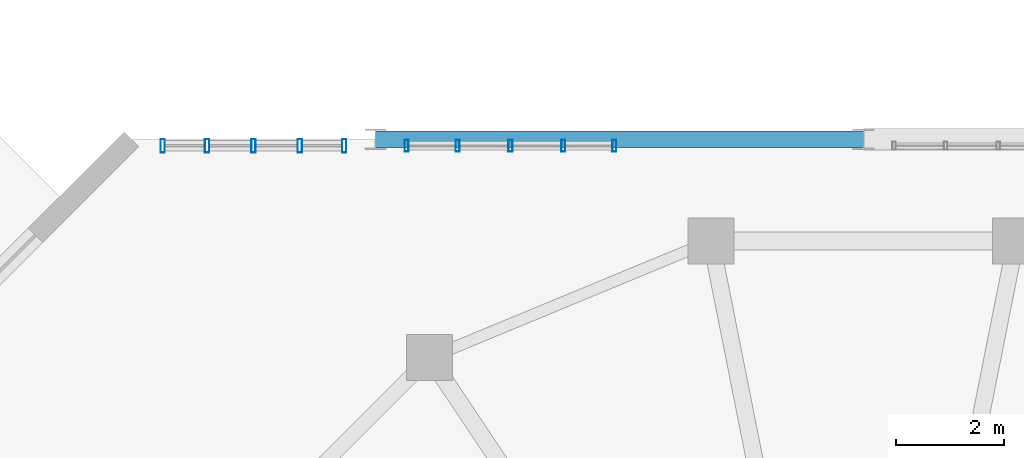
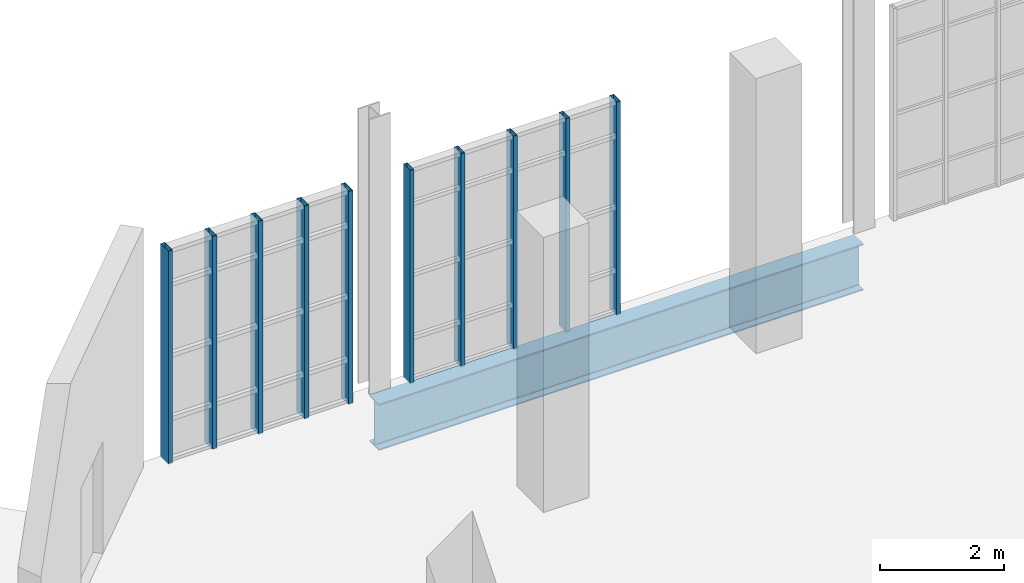
# One storey, part 83 of 189: 10 members, 1 beam, 2 elements without a shape of their own.
"""IFC4 building model written with IfcOpenShell, lengths in metres."""

import ifcopenshell
import ifcopenshell.guid

model = None  # the IFC model being written
_history = None  # IfcOwnerHistory: only IFC2X3 demands one
_inside = {}  # id of a spatial element -> (the spatial element, [elements in it])
_under = {}  # id of a project, library or spatial element -> (it, [spatial elements below it])
_declared = {}  # id of a project -> (the project, [libraries it declares])
_typed = {}  # id of a type object -> (the type object, [elements of that type])
_made_of = {}  # id of a material, layer set ... -> (it, [elements and type objects made of it])


def new_model(schema):
    """Start an empty IFC model of exactly this schema.

    Asked for "IFC4X3", IfcOpenShell would pick the latest addendum, in which some entities
    have other attributes; the version numbers below select the first issue.
    IFC2X3 requires an IfcOwnerHistory on every rooted entity: one is made here for all.
    """
    global model, _history
    if schema == "IFC4X3":
        model = ifcopenshell.file(schema_version=(4, 3, 0, 0))
    else:
        model = ifcopenshell.file(schema=schema)
    _inside.clear()
    _under.clear()
    _declared.clear()
    _typed.clear()
    _made_of.clear()
    _history = None
    if model.schema == "IFC2X3":
        org = make("IfcOrganization", Name="unknown")
        user = make(
            "IfcPersonAndOrganization",
            ThePerson=make("IfcPerson", FamilyName="unknown"),
            TheOrganization=org,
        )
        app = make(
            "IfcApplication",
            ApplicationDeveloper=org,
            Version="unknown",
            ApplicationFullName="unknown",
            ApplicationIdentifier="unknown",
        )
        _history = make(
            "IfcOwnerHistory",
            OwningUser=user,
            OwningApplication=app,
            ChangeAction="ADDED",
            CreationDate=0,
        )
    return model


def make(cls, **values):
    """One entity of the class cls with the attributes given. An attribute that is None is left unset."""
    return model.create_entity(
        cls, **{name: value for name, value in values.items() if value is not None}
    )


def rooted(cls, **values):
    """An entity with a GlobalId (a new one), such as an element, a storey or a relation."""
    return make(cls, GlobalId=ifcopenshell.guid.new(), OwnerHistory=_history, **values)


def si_unit(unit_type, name, prefix=None):
    """IfcSIUnit, for example si_unit("LENGTHUNIT", "METRE", prefix="MILLI")."""
    return make("IfcSIUnit", UnitType=unit_type, Prefix=prefix, Name=name)


def assignment(units):
    """IfcUnitAssignment: the units of a project."""
    return None if units is None else make("IfcUnitAssignment", Units=units)


def point(xyz):
    """IfcCartesianPoint."""
    return None if xyz is None else make("IfcCartesianPoint", Coordinates=xyz)


def direction(xyz):
    """IfcDirection."""
    return None if xyz is None else make("IfcDirection", DirectionRatios=xyz)


def frame(location, z_axis=None, x_axis=None):
    """IfcAxis2Placement3D, a coordinate frame: its origin and axes. An axis left out is left unset."""
    return make(
        "IfcAxis2Placement3D",
        Location=point(location),
        Axis=direction(z_axis),
        RefDirection=direction(x_axis),
    )


def frame_2d(location, x_axis=None):
    """IfcAxis2Placement2D, a coordinate frame in the plane: its origin and x axis."""
    return make(
        "IfcAxis2Placement2D", Location=point(location), RefDirection=direction(x_axis)
    )


def origin():
    """The frame at (0, 0, 0) with its axes left unset."""
    return frame((0.0, 0.0, 0.0))


def origin_2d():
    """The frame at (0, 0) in the plane with its x axis left unset."""
    return frame_2d((0.0, 0.0))


def place(relative_to, where):
    """IfcLocalPlacement: puts the frame where relative to a parent placement (None: the world)."""
    return make(
        "IfcLocalPlacement", PlacementRelTo=relative_to, RelativePlacement=where
    )


def context(
    kind, dimensions, precision=None, world=None, true_north=None, identifier=None
):
    """IfcGeometricRepresentationContext, for example the 3D "Model" context."""
    return make(
        "IfcGeometricRepresentationContext",
        ContextIdentifier=identifier,
        ContextType=kind,
        CoordinateSpaceDimension=dimensions,
        Precision=precision,
        WorldCoordinateSystem=world,
        TrueNorth=true_north,
    )


def subcontext(parent, identifier, kind, view, scale=None):
    """IfcGeometricRepresentationSubContext, for example "Body" below "Model"."""
    return make(
        "IfcGeometricRepresentationSubContext",
        ContextIdentifier=identifier,
        ContextType=kind,
        ParentContext=parent,
        TargetScale=scale,
        TargetView=view,
    )


def project(units=None, contexts=None):
    """IfcProject with its units and contexts."""
    return rooted(
        "IfcProject",
        Name="project",
        RepresentationContexts=contexts,
        UnitsInContext=assignment(units),
    )


def spatial(cls, under=None, at=None, **own):
    """A site, building, storey or space (cls), placed at a placement, below another one or the project."""
    s = rooted(cls, ObjectPlacement=at, **own)
    if under is not None:
        _under.setdefault(under.id(), (under, []))[1].append(s)
    return s


def profile(cls, at=None, kind="AREA", **sizes):
    """A parametric profile (cls). Its sizes go by their IFC names, for example OverallWidth=200.0."""
    return make(cls, ProfileType=kind, Position=at, **sizes)


def hollow_rectangle(**sizes):
    """IfcRectangleHollowProfileDef."""
    return profile("IfcRectangleHollowProfileDef", **sizes)


def i_section(**sizes):
    """IfcIShapeProfileDef."""
    return profile("IfcIShapeProfileDef", **sizes)


def extrude(swept, where, along, depth):
    """IfcExtrudedAreaSolid: the profile swept, set in the frame where, extruded along a direction by depth."""
    return make(
        "IfcExtrudedAreaSolid",
        SweptArea=swept,
        Position=where,
        ExtrudedDirection=direction(along),
        Depth=depth,
    )


def shape(context_of_items, identifier, shape_type, items):
    """IfcShapeRepresentation: the items that make up one representation, for example the "Body"."""
    return make(
        "IfcShapeRepresentation",
        ContextOfItems=context_of_items,
        RepresentationIdentifier=identifier,
        RepresentationType=shape_type,
        Items=items,
    )


def material(Name=None, Category=None):
    """IfcMaterial."""
    return make("IfcMaterial", Name=Name, Category=Category)


def layer(
    of_material, thickness, ventilated=None, Name=None, Category=None, Priority=None
):
    """IfcMaterialLayer: one layer of a wall or slab, of a material (None: an air gap)."""
    return make(
        "IfcMaterialLayer",
        Material=of_material,
        LayerThickness=thickness,
        IsVentilated=ventilated,
        Name=Name,
        Category=Category,
        Priority=Priority,
    )


def layer_set(layers, Name=None):
    """IfcMaterialLayerSet."""
    return make("IfcMaterialLayerSet", MaterialLayers=layers, LayerSetName=Name)


def material_profile(
    of_material, cross_section, Name=None, Category=None, Priority=None
):
    """IfcMaterialProfile: a cross section and its material."""
    return make(
        "IfcMaterialProfile",
        Name=Name,
        Material=of_material,
        Profile=cross_section,
        Priority=Priority,
        Category=Category,
    )


def profile_set(profiles, Name=None, composite=None):
    """IfcMaterialProfileSet."""
    return make(
        "IfcMaterialProfileSet",
        Name=Name,
        MaterialProfiles=profiles,
        CompositeProfile=composite,
    )


def made_of(thing, what):
    """Note that an element or type object is made of a material, layer set ...; save() writes the relation."""
    if what is not None:
        _made_of.setdefault(what.id(), (what, []))[1].append(thing)
    return thing


def type_object(cls, material=None, **own):
    """A type object (cls), such as IfcWallType, which elements share."""
    return made_of(rooted(cls, **own), material)


def element(
    cls,
    number,
    at=None,
    inside=None,
    cuts=None,
    type_object=None,
    material=None,
    context=None,
    identifier="Body",
    shape_type=None,
    held_by="IfcProductDefinitionShape",
    body=None,
    shapes=None,
    **own,
):
    """One element of the class cls, such as IfcWall. Its Tag is "e" and its number.

    at: its placement. inside: the storey or other place that contains it. cuts: it is an
    opening in that element (IfcRelVoidsElement). A single representation is given by context,
    identifier, shape_type and body (its items); several are given by shapes. held_by: the class
    of the entity that holds the representations. save() writes the other relations.
    """
    e = rooted(cls, Tag="e%d" % number, ObjectPlacement=at, **own)
    if body is not None:
        shapes = [shape(context, identifier, shape_type, body)]
    if shapes is not None:
        e.Representation = make(held_by, Representations=shapes)
    if inside is not None:
        _inside.setdefault(inside.id(), (inside, []))[1].append(e)
    if cuts is not None:
        rooted(
            "IfcRelVoidsElement", RelatingBuildingElement=cuts, RelatedOpeningElement=e
        )
    if type_object is not None:
        _typed.setdefault(type_object.id(), (type_object, []))[1].append(e)
    return made_of(e, material)


def aggregate(whole, parts):
    """IfcRelAggregates: a whole, such as a stair, and the parts it consists of."""
    return rooted("IfcRelAggregates", RelatingObject=whole, RelatedObjects=parts)


def save(model, path):
    """Write the relations noted so far, then the file.

    IfcRelAggregates (storeys below a building ...), IfcRelContainedInSpatialStructure (elements
    in a storey), IfcRelDefinesByType, IfcRelAssociatesMaterial and IfcRelDeclares: one each for
    every whole, place, type object, material and project.
    """
    for whole, parts in _under.values():
        aggregate(whole, parts)
    for where, things in _inside.values():
        rooted(
            "IfcRelContainedInSpatialStructure",
            RelatedElements=things,
            RelatingStructure=where,
        )
    for kind, things in _typed.values():
        rooted("IfcRelDefinesByType", RelatedObjects=things, RelatingType=kind)
    for what, things in _made_of.values():
        rooted("IfcRelAssociatesMaterial", RelatedObjects=things, RelatingMaterial=what)
    for by, libraries in _declared.values():
        rooted("IfcRelDeclares", RelatingContext=by, RelatedDefinitions=libraries)
    model.write(path)


model = new_model("IFC4")

# Units and contexts
model_context = context("Model", 3, precision=1e-05, world=origin(), true_north=direction((0.0, 1.0)))
body_context = subcontext(model_context, "Body", "Model", "MODEL_VIEW")
ifc_project = project(units=[si_unit("LENGTHUNIT", "METRE"), si_unit("AREAUNIT", "SQUARE_METRE"), si_unit("VOLUMEUNIT", "CUBIC_METRE"), si_unit("PLANEANGLEUNIT", "RADIAN"), si_unit("MASSUNIT", "GRAM", prefix="KILO"), si_unit("THERMODYNAMICTEMPERATUREUNIT", "KELVIN"), si_unit("POWERUNIT", "WATT")], contexts=[model_context])

# Site, building, storey
site_placement = place(None, origin())
site = spatial("IfcSite", under=ifc_project, at=site_placement, CompositionType="ELEMENT")
building_placement = place(site_placement, origin())
building = spatial("IfcBuilding", under=site, at=building_placement, Name="Zelmaris Science Centre", CompositionType="ELEMENT")
storey_placement = place(building_placement, origin())
storey = spatial("IfcBuildingStorey", under=building, at=storey_placement, Name="L00", CompositionType="ELEMENT", Elevation=0.0)

# Curtain wall, members
ifc_material_1 = material(Name="Anodised architectural aluminium 6063-T6", Category="aluminium")
ifc_layer_1 = layer(ifc_material_1, 0.199951171875, Name="Anodised architectural aluminium 6063-T6")
ifc_layer_set_1 = layer_set([ifc_layer_1], Name="Anodised architectural aluminium 6063-T6")
curtain_wall_type_1 = type_object("IfcCurtainWallType", Name="Curtain Wall CW-02", PredefinedType="USERDEFINED", material=ifc_layer_set_1)
curtain_wall_1_placement = place(storey_placement, origin())
curtain_wall_1 = element("IfcCurtainWall", 1, at=curtain_wall_1_placement, inside=storey, type_object=curtain_wall_type_1, Name="L00 Unitised curtain wall 18", ObjectType="GLAZED CURTAIN WALL", PredefinedType="USERDEFINED")
ifc_material_profile_1 = material_profile(ifc_material_1, hollow_rectangle(XDim=0.074951171875, YDim=0.219970703125, WallThickness=0.0048828125, at=origin_2d()), Name="ALU-MUL-75X220")
ifc_profile_set_1 = profile_set([ifc_material_profile_1], Name="Anodised architectural aluminium 6063-T6")
member_type_1 = type_object("IfcMemberType", Name="ALU-MUL-75X220", PredefinedType="MULLION", material=ifc_profile_set_1)
member_1_placement = place(storey_placement, frame((18.573486328125, 87.8798828125, -0.014892578125), z_axis=(0.0, 0.0, 1.0), x_axis=(1.0, 0.0, 0.0)))
member_1 = element("IfcMember", 2, at=member_1_placement, type_object=member_type_1, Name="CW-02 mullion 1", PredefinedType="MULLION", context=body_context, shape_type="SweptSolid", body=[
    extrude(hollow_rectangle(XDim=0.074951171875, YDim=0.219970703125, WallThickness=0.0048828125, at=origin_2d()), origin(), (0.0, 0.0, 1.0), 4.185791015625),
])
member_2_placement = place(storey_placement, frame((19.514892578125, 87.8798828125, -0.014892578125), z_axis=(0.0, 0.0, 1.0), x_axis=(1.0, 0.0, 0.0)))
member_2 = element("IfcMember", 3, at=member_2_placement, type_object=member_type_1, Name="CW-02 mullion 2", PredefinedType="MULLION", context=body_context, shape_type="SweptSolid", body=[
    extrude(hollow_rectangle(XDim=0.074951171875, YDim=0.219970703125, WallThickness=0.0048828125, at=origin_2d()), origin(), (0.0, 0.0, 1.0), 4.185791015625),
])
member_3_placement = place(storey_placement, frame((20.489990234375, 87.8798828125, -0.014892578125), z_axis=(0.0, 0.0, 1.0), x_axis=(1.0, 0.0, 0.0)))
member_3 = element("IfcMember", 4, at=member_3_placement, type_object=member_type_1, Name="CW-02 mullion 3", PredefinedType="MULLION", context=body_context, shape_type="SweptSolid", body=[
    extrude(hollow_rectangle(XDim=0.074951171875, YDim=0.219970703125, WallThickness=0.0048828125, at=origin_2d()), origin(), (0.0, 0.0, 1.0), 4.185791015625),
])
member_4_placement = place(storey_placement, frame((21.465087890625, 87.8798828125, -0.014892578125), z_axis=(0.0, 0.0, 1.0), x_axis=(1.0, 0.0, 0.0)))
member_4 = element("IfcMember", 5, at=member_4_placement, type_object=member_type_1, Name="CW-02 mullion 4", PredefinedType="MULLION", context=body_context, shape_type="SweptSolid", body=[
    extrude(hollow_rectangle(XDim=0.074951171875, YDim=0.219970703125, WallThickness=0.0048828125, at=origin_2d()), origin(), (0.0, 0.0, 1.0), 4.185791015625),
])
member_5_placement = place(storey_placement, frame((22.406494140625, 87.8798828125, -0.014892578125), z_axis=(0.0, 0.0, 1.0), x_axis=(1.0, 0.0, 0.0)))
member_5 = element("IfcMember", 6, at=member_5_placement, type_object=member_type_1, Name="CW-02 mullion 5", PredefinedType="MULLION", context=body_context, shape_type="SweptSolid", body=[
    extrude(hollow_rectangle(XDim=0.074951171875, YDim=0.219970703125, WallThickness=0.0048828125, at=origin_2d()), origin(), (0.0, 0.0, 1.0), 4.185791015625),
])
aggregate(curtain_wall_1, [member_1, member_2, member_3, member_4, member_5])

ifc_layer_2 = layer(ifc_material_1, 0.18994140625, Name="Anodised architectural aluminium 6063-T6")
ifc_layer_set_2 = layer_set([ifc_layer_2], Name="Anodised architectural aluminium 6063-T6")
curtain_wall_type_2 = type_object("IfcCurtainWallType", Name="Curtain Wall CW-01", PredefinedType="USERDEFINED", material=ifc_layer_set_2)
curtain_wall_2_placement = place(storey_placement, origin())
curtain_wall_2 = element("IfcCurtainWall", 7, at=curtain_wall_2_placement, inside=storey, type_object=curtain_wall_type_2, Name="L00 Unitised curtain wall 17", ObjectType="GLAZED CURTAIN WALL", PredefinedType="USERDEFINED")
ifc_material_profile_2 = material_profile(ifc_material_1, hollow_rectangle(XDim=0.080078125, YDim=0.25, WallThickness=0.0048828125, at=origin_2d()), Name="ALU-MUL-80X250")
ifc_profile_set_2 = profile_set([ifc_material_profile_2], Name="Anodised architectural aluminium 6063-T6")
member_type_2 = type_object("IfcMemberType", Name="ALU-MUL-80X250", PredefinedType="MULLION", material=ifc_profile_set_2)
member_6_placement = place(storey_placement, frame((14.075927734375, 87.8798828125, -0.014892578125), z_axis=(0.0, 0.0, 1.0), x_axis=(1.0, 0.0, 0.0)))
member_6 = element("IfcMember", 8, at=member_6_placement, type_object=member_type_2, Name="CW-01 mullion 1", PredefinedType="MULLION", context=body_context, shape_type="SweptSolid", body=[
    extrude(hollow_rectangle(XDim=0.080078125, YDim=0.25, WallThickness=0.0048828125, at=origin_2d()), origin(), (0.0, 0.0, 1.0), 4.185791015625),
])
member_7_placement = place(storey_placement, frame((14.89501953125, 87.8798828125, -0.014892578125), z_axis=(0.0, 0.0, 1.0), x_axis=(1.0, 0.0, 0.0)))
member_7 = element("IfcMember", 9, at=member_7_placement, type_object=member_type_2, Name="CW-01 mullion 2", PredefinedType="MULLION", context=body_context, shape_type="SweptSolid", body=[
    extrude(hollow_rectangle(XDim=0.080078125, YDim=0.25, WallThickness=0.0048828125, at=origin_2d()), origin(), (0.0, 0.0, 1.0), 4.185791015625),
])
member_8_placement = place(storey_placement, frame((15.75, 87.8798828125, -0.014892578125), z_axis=(0.0, 0.0, 1.0), x_axis=(1.0, 0.0, 0.0)))
member_8 = element("IfcMember", 10, at=member_8_placement, type_object=member_type_2, Name="CW-01 mullion 3", PredefinedType="MULLION", context=body_context, shape_type="SweptSolid", body=[
    extrude(hollow_rectangle(XDim=0.080078125, YDim=0.25, WallThickness=0.0048828125, at=origin_2d()), origin(), (0.0, 0.0, 1.0), 4.185791015625),
])
member_9_placement = place(storey_placement, frame((16.60498046875, 87.8798828125, -0.014892578125), z_axis=(0.0, 0.0, 1.0), x_axis=(1.0, 0.0, 0.0)))
member_9 = element("IfcMember", 11, at=member_9_placement, type_object=member_type_2, Name="CW-01 mullion 4", PredefinedType="MULLION", context=body_context, shape_type="SweptSolid", body=[
    extrude(hollow_rectangle(XDim=0.080078125, YDim=0.25, WallThickness=0.0048828125, at=origin_2d()), origin(), (0.0, 0.0, 1.0), 4.185791015625),
])
member_10_placement = place(storey_placement, frame((17.424072265625, 87.8798828125, -0.014892578125), z_axis=(0.0, 0.0, 1.0), x_axis=(1.0, 0.0, 0.0)))
member_10 = element("IfcMember", 12, at=member_10_placement, type_object=member_type_2, Name="CW-01 mullion 5", PredefinedType="MULLION", context=body_context, shape_type="SweptSolid", body=[
    extrude(hollow_rectangle(XDim=0.080078125, YDim=0.25, WallThickness=0.0048828125, at=origin_2d()), origin(), (0.0, 0.0, 1.0), 4.185791015625),
])
aggregate(curtain_wall_2, [member_6, member_7, member_8, member_9, member_10])

# Beam
ifc_material_2 = material(Name="Steel ASTM A992 Grade 50", Category="steel")
ifc_material_profile_3 = material_profile(ifc_material_2, i_section(OverallWidth=0.304931640625, OverallDepth=0.912109375, WebThickness=0.015869140625, FlangeThickness=0.02392578125, FilletRadius=0.02392578125, at=origin_2d()), Name="W36X150")
ifc_profile_set_3 = profile_set([ifc_material_profile_3], Name="Steel ASTM A992 Grade 50")
beam_type = type_object("IfcBeamType", Name="Beam G-27 W36X150", PredefinedType="BEAM", material=ifc_profile_set_3)
beam_placement = place(storey_placement, frame((18.0, 88.0, -0.736083984375), z_axis=(1.0, 0.0, 0.0), x_axis=(0.0, 1.0, 0.0)))
element("IfcBeam", 13, at=beam_placement, inside=storey, type_object=beam_type, Name="L00 East-west girder 171", PredefinedType="BEAM", context=body_context, shape_type="SweptSolid", body=[
    extrude(i_section(OverallWidth=0.304931640625, OverallDepth=0.912109375, WebThickness=0.015869140625, FlangeThickness=0.02392578125, FilletRadius=0.02392578125, at=origin_2d()), origin(), (0.0, 0.0, 1.0), 9.0),
])

save(model, "model.ifc")
